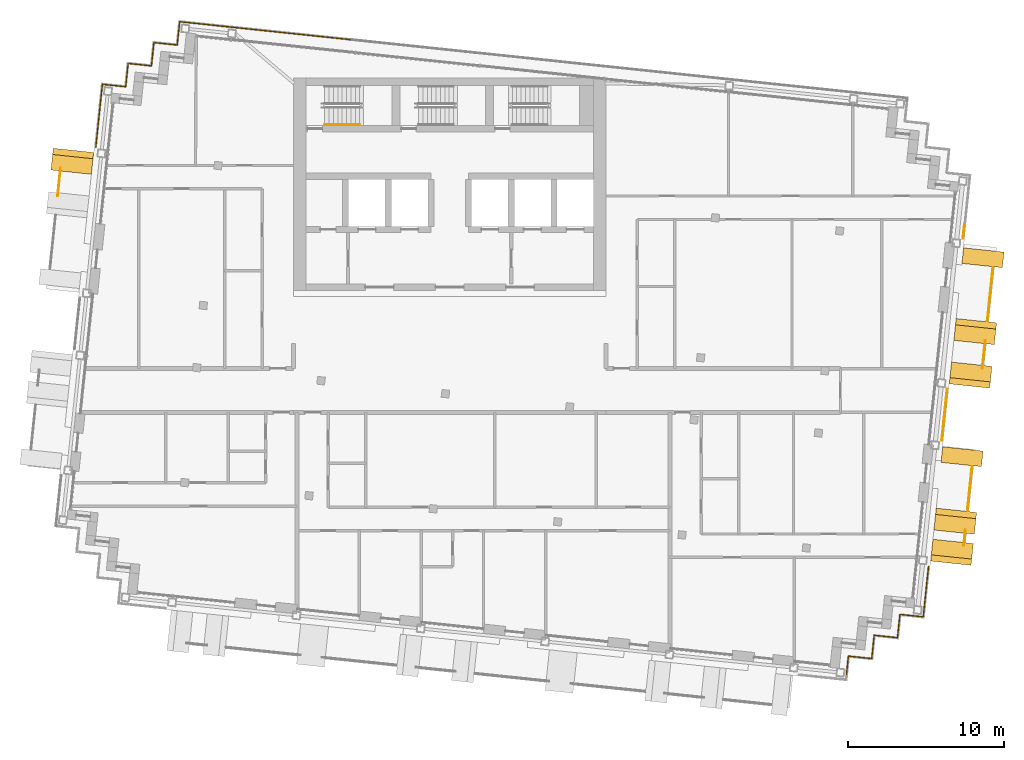
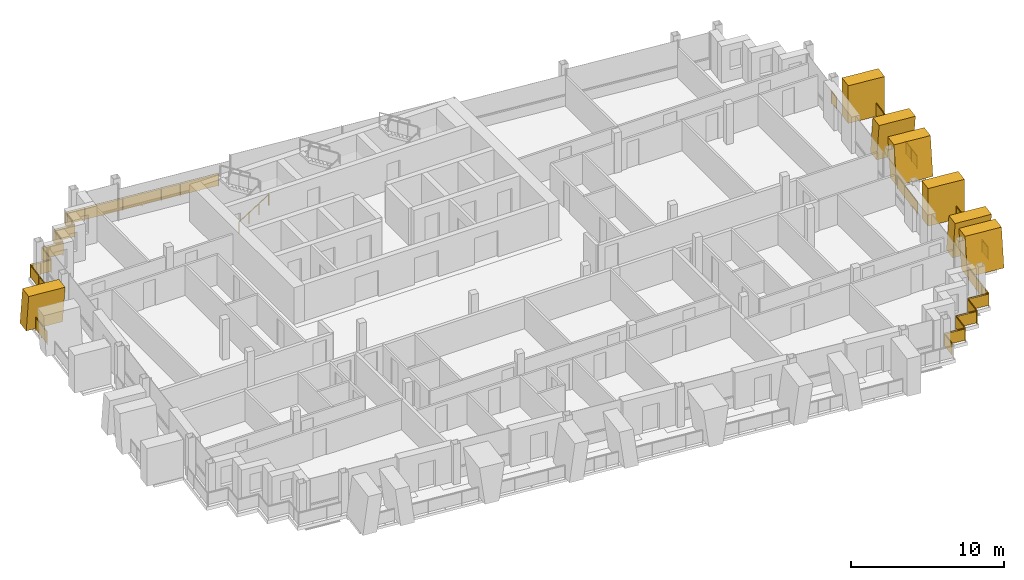
# One storey, part 14 of 16: 11 railings, 7 shading devices.
"""IFC4 building model written with IfcOpenShell, lengths in metres."""

import ifcopenshell
import ifcopenshell.guid

model = None  # the IFC model being written
_history = None  # IfcOwnerHistory: only IFC2X3 demands one
_inside = {}  # id of a spatial element -> (the spatial element, [elements in it])
_under = {}  # id of a project, library or spatial element -> (it, [spatial elements below it])
_declared = {}  # id of a project -> (the project, [libraries it declares])
_typed = {}  # id of a type object -> (the type object, [elements of that type])
_made_of = {}  # id of a material, layer set ... -> (it, [elements and type objects made of it])


def new_model(schema):
    """Start an empty IFC model of exactly this schema.

    Asked for "IFC4X3", IfcOpenShell would pick the latest addendum, in which some entities
    have other attributes; the version numbers below select the first issue.
    IFC2X3 requires an IfcOwnerHistory on every rooted entity: one is made here for all.
    """
    global model, _history
    if schema == "IFC4X3":
        model = ifcopenshell.file(schema_version=(4, 3, 0, 0))
    else:
        model = ifcopenshell.file(schema=schema)
    _inside.clear()
    _under.clear()
    _declared.clear()
    _typed.clear()
    _made_of.clear()
    _history = None
    if model.schema == "IFC2X3":
        org = make("IfcOrganization", Name="unknown")
        user = make(
            "IfcPersonAndOrganization",
            ThePerson=make("IfcPerson", FamilyName="unknown"),
            TheOrganization=org,
        )
        app = make(
            "IfcApplication",
            ApplicationDeveloper=org,
            Version="unknown",
            ApplicationFullName="unknown",
            ApplicationIdentifier="unknown",
        )
        _history = make(
            "IfcOwnerHistory",
            OwningUser=user,
            OwningApplication=app,
            ChangeAction="ADDED",
            CreationDate=0,
        )
    return model


def make(cls, **values):
    """One entity of the class cls with the attributes given. An attribute that is None is left unset."""
    return model.create_entity(
        cls, **{name: value for name, value in values.items() if value is not None}
    )


def rooted(cls, **values):
    """An entity with a GlobalId (a new one), such as an element, a storey or a relation."""
    return make(cls, GlobalId=ifcopenshell.guid.new(), OwnerHistory=_history, **values)


def si_unit(unit_type, name, prefix=None):
    """IfcSIUnit, for example si_unit("LENGTHUNIT", "METRE", prefix="MILLI")."""
    return make("IfcSIUnit", UnitType=unit_type, Prefix=prefix, Name=name)


def assignment(units):
    """IfcUnitAssignment: the units of a project."""
    return None if units is None else make("IfcUnitAssignment", Units=units)


def point(xyz):
    """IfcCartesianPoint."""
    return None if xyz is None else make("IfcCartesianPoint", Coordinates=xyz)


def direction(xyz):
    """IfcDirection."""
    return None if xyz is None else make("IfcDirection", DirectionRatios=xyz)


def frame(location, z_axis=None, x_axis=None):
    """IfcAxis2Placement3D, a coordinate frame: its origin and axes. An axis left out is left unset."""
    return make(
        "IfcAxis2Placement3D",
        Location=point(location),
        Axis=direction(z_axis),
        RefDirection=direction(x_axis),
    )


def frame_2d(location, x_axis=None):
    """IfcAxis2Placement2D, a coordinate frame in the plane: its origin and x axis."""
    return make(
        "IfcAxis2Placement2D", Location=point(location), RefDirection=direction(x_axis)
    )


def origin():
    """The frame at (0, 0, 0) with its axes left unset."""
    return frame((0.0, 0.0, 0.0))


def origin_2d():
    """The frame at (0, 0) in the plane with its x axis left unset."""
    return frame_2d((0.0, 0.0))


def place(relative_to, where):
    """IfcLocalPlacement: puts the frame where relative to a parent placement (None: the world)."""
    return make(
        "IfcLocalPlacement", PlacementRelTo=relative_to, RelativePlacement=where
    )


def context(
    kind, dimensions, precision=None, world=None, true_north=None, identifier=None
):
    """IfcGeometricRepresentationContext, for example the 3D "Model" context."""
    return make(
        "IfcGeometricRepresentationContext",
        ContextIdentifier=identifier,
        ContextType=kind,
        CoordinateSpaceDimension=dimensions,
        Precision=precision,
        WorldCoordinateSystem=world,
        TrueNorth=true_north,
    )


def subcontext(parent, identifier, kind, view, scale=None):
    """IfcGeometricRepresentationSubContext, for example "Body" below "Model"."""
    return make(
        "IfcGeometricRepresentationSubContext",
        ContextIdentifier=identifier,
        ContextType=kind,
        ParentContext=parent,
        TargetScale=scale,
        TargetView=view,
    )


def project(units=None, contexts=None):
    """IfcProject with its units and contexts."""
    return rooted(
        "IfcProject",
        Name="project",
        RepresentationContexts=contexts,
        UnitsInContext=assignment(units),
    )


def spatial(cls, under=None, at=None, **own):
    """A site, building, storey or space (cls), placed at a placement, below another one or the project."""
    s = rooted(cls, ObjectPlacement=at, **own)
    if under is not None:
        _under.setdefault(under.id(), (under, []))[1].append(s)
    return s


def polyline(points):
    """IfcPolyline through the points."""
    return make("IfcPolyline", Points=[point(p) for p in points])


def profile(cls, at=None, kind="AREA", **sizes):
    """A parametric profile (cls). Its sizes go by their IFC names, for example OverallWidth=200.0."""
    return make(cls, ProfileType=kind, Position=at, **sizes)


def rectangle(**sizes):
    """IfcRectangleProfileDef."""
    return profile("IfcRectangleProfileDef", **sizes)


def circle(**sizes):
    """IfcCircleProfileDef."""
    return profile("IfcCircleProfileDef", **sizes)


def outline(outer, holes=None, kind="AREA"):
    """IfcArbitraryClosedProfileDef: a profile drawn as a closed curve; with holes, ...WithVoids."""
    if holes is None:
        return make("IfcArbitraryClosedProfileDef", ProfileType=kind, OuterCurve=outer)
    return make(
        "IfcArbitraryProfileDefWithVoids",
        ProfileType=kind,
        OuterCurve=outer,
        InnerCurves=holes,
    )


def extrude(swept, where, along, depth):
    """IfcExtrudedAreaSolid: the profile swept, set in the frame where, extruded along a direction by depth."""
    return make(
        "IfcExtrudedAreaSolid",
        SweptArea=swept,
        Position=where,
        ExtrudedDirection=direction(along),
        Depth=depth,
    )


def shape(context_of_items, identifier, shape_type, items):
    """IfcShapeRepresentation: the items that make up one representation, for example the "Body"."""
    return make(
        "IfcShapeRepresentation",
        ContextOfItems=context_of_items,
        RepresentationIdentifier=identifier,
        RepresentationType=shape_type,
        Items=items,
    )


def material(Name=None, Category=None):
    """IfcMaterial."""
    return make("IfcMaterial", Name=Name, Category=Category)


def layer(
    of_material, thickness, ventilated=None, Name=None, Category=None, Priority=None
):
    """IfcMaterialLayer: one layer of a wall or slab, of a material (None: an air gap)."""
    return make(
        "IfcMaterialLayer",
        Material=of_material,
        LayerThickness=thickness,
        IsVentilated=ventilated,
        Name=Name,
        Category=Category,
        Priority=Priority,
    )


def layer_set(layers, Name=None):
    """IfcMaterialLayerSet."""
    return make("IfcMaterialLayerSet", MaterialLayers=layers, LayerSetName=Name)


def made_of(thing, what):
    """Note that an element or type object is made of a material, layer set ...; save() writes the relation."""
    if what is not None:
        _made_of.setdefault(what.id(), (what, []))[1].append(thing)
    return thing


def type_object(cls, material=None, **own):
    """A type object (cls), such as IfcWallType, which elements share."""
    return made_of(rooted(cls, **own), material)


def element(
    cls,
    number,
    at=None,
    inside=None,
    cuts=None,
    type_object=None,
    material=None,
    context=None,
    identifier="Body",
    shape_type=None,
    held_by="IfcProductDefinitionShape",
    body=None,
    shapes=None,
    **own,
):
    """One element of the class cls, such as IfcWall. Its Tag is "e" and its number.

    at: its placement. inside: the storey or other place that contains it. cuts: it is an
    opening in that element (IfcRelVoidsElement). A single representation is given by context,
    identifier, shape_type and body (its items); several are given by shapes. held_by: the class
    of the entity that holds the representations. save() writes the other relations.
    """
    e = rooted(cls, Tag="e%d" % number, ObjectPlacement=at, **own)
    if body is not None:
        shapes = [shape(context, identifier, shape_type, body)]
    if shapes is not None:
        e.Representation = make(held_by, Representations=shapes)
    if inside is not None:
        _inside.setdefault(inside.id(), (inside, []))[1].append(e)
    if cuts is not None:
        rooted(
            "IfcRelVoidsElement", RelatingBuildingElement=cuts, RelatedOpeningElement=e
        )
    if type_object is not None:
        _typed.setdefault(type_object.id(), (type_object, []))[1].append(e)
    return made_of(e, material)


def aggregate(whole, parts):
    """IfcRelAggregates: a whole, such as a stair, and the parts it consists of."""
    return rooted("IfcRelAggregates", RelatingObject=whole, RelatedObjects=parts)


def save(model, path):
    """Write the relations noted so far, then the file.

    IfcRelAggregates (storeys below a building ...), IfcRelContainedInSpatialStructure (elements
    in a storey), IfcRelDefinesByType, IfcRelAssociatesMaterial and IfcRelDeclares: one each for
    every whole, place, type object, material and project.
    """
    for whole, parts in _under.values():
        aggregate(whole, parts)
    for where, things in _inside.values():
        rooted(
            "IfcRelContainedInSpatialStructure",
            RelatedElements=things,
            RelatingStructure=where,
        )
    for kind, things in _typed.values():
        rooted("IfcRelDefinesByType", RelatedObjects=things, RelatingType=kind)
    for what, things in _made_of.values():
        rooted("IfcRelAssociatesMaterial", RelatedObjects=things, RelatingMaterial=what)
    for by, libraries in _declared.values():
        rooted("IfcRelDeclares", RelatingContext=by, RelatedDefinitions=libraries)
    model.write(path)


model = new_model("IFC4")

# Units and contexts
model_context = context("Model", 3, precision=1e-05, world=origin(), true_north=direction((0.0, 1.0)))
body_context = subcontext(model_context, "Body", "Model", "MODEL_VIEW")
ifc_project = project(units=[si_unit("LENGTHUNIT", "METRE"), si_unit("AREAUNIT", "SQUARE_METRE"), si_unit("VOLUMEUNIT", "CUBIC_METRE"), si_unit("PLANEANGLEUNIT", "RADIAN"), si_unit("MASSUNIT", "GRAM", prefix="KILO")], contexts=[model_context])

# Site, building, storey
site_placement = place(None, origin())
site = spatial("IfcSite", under=ifc_project, at=site_placement, CompositionType="ELEMENT")
building_placement = place(site_placement, origin())
building = spatial("IfcBuilding", under=site, at=building_placement, Name="Vidyagriha Tower", CompositionType="ELEMENT")
storey_placement = place(building_placement, frame((0.0, 0.0, 253.10009765625)))
storey = spatial("IfcBuildingStorey", under=building, at=storey_placement, Name="L65", CompositionType="ELEMENT", Elevation=253.10009765625)

# Railings
ifc_material_1 = material(Name="Steel ASTM A500 Grade C black painted", Category="steel")
railing_type_1 = type_object("IfcRailingType", Name="Balcony guard 1100", PredefinedType="BALUSTRADE", material=ifc_material_1)
railing_1_placement = place(storey_placement, frame((-24.90234375, 14.238525390625, 0.0)))
element("IfcRailing", 1, at=railing_1_placement, inside=storey, type_object=railing_type_1, Name="Balcony guard L65 R14.1-1", PredefinedType="BALUSTRADE", context=body_context, shape_type="SweptSolid", body=[
    extrude(circle(Radius=0.02490234375, at=origin_2d()), frame((0.0, 0.0, 1.0751953125), z_axis=(-0.104422563515, -0.99453302018, 0.0), x_axis=(0.99453302018, -0.104422563515, 0.0)), (0.0, 0.0, 1.0), 1.793212890625),
    extrude(circle(Radius=0.02001953125, at=origin_2d()), origin(), (0.0, 0.0, 1.0), 1.050048828125),
    extrude(circle(Radius=0.02001953125, at=origin_2d()), frame((-0.09375, -0.8916015625, 0.0)), (0.0, 0.0, 1.0), 1.050048828125),
    extrude(circle(Radius=0.02001953125, at=origin_2d()), frame((-0.187255859375, -1.783447265625, 0.0)), (0.0, 0.0, 1.0), 1.050048828125),
    extrude(rectangle(XDim=0.010009765625, YDim=0.900146484375, at=origin_2d()), frame((0.0, 0.0, 0.550048828125), z_axis=(-0.104422563515, -0.99453302018, 0.0), x_axis=(0.99453302018, -0.104422563515, 0.0)), (0.0, 0.0, 1.0), 1.793212890625),
])
railing_2_placement = place(storey_placement, frame((32.888427734375, -9.927978515625, 0.0)))
element("IfcRailing", 2, at=railing_2_placement, inside=storey, type_object=railing_type_1, Name="Balcony guard L65 R28.1-1", PredefinedType="BALUSTRADE", context=body_context, shape_type="SweptSolid", body=[
    extrude(circle(Radius=0.02490234375, at=origin_2d()), frame((0.0, 0.0, 1.0751953125), z_axis=(0.104467261141, 0.994528326067, 0.0), x_axis=(-0.994528326067, 0.104467261141, 0.0)), (0.0, 0.0, 1.0), 0.9931640625),
    extrude(circle(Radius=0.02001953125, at=origin_2d()), origin(), (0.0, 0.0, 1.0), 1.050048828125),
    extrude(circle(Radius=0.02001953125, at=origin_2d()), frame((0.103759765625, 0.98779296875, 0.0)), (0.0, 0.0, 1.0), 1.050048828125),
    extrude(rectangle(XDim=0.010009765625, YDim=0.900146484375, at=origin_2d()), frame((0.0, 0.0, 0.550048828125), z_axis=(0.104467261141, 0.994528326067, 0.0), x_axis=(-0.994528326067, 0.104467261141, 0.0)), (0.0, 0.0, 1.0), 0.9931640625),
])
railing_3_placement = place(storey_placement, frame((33.123046875, -7.693603515625, 0.0)))
element("IfcRailing", 3, at=railing_3_placement, inside=storey, type_object=railing_type_1, Name="Balcony guard L65 R28.1-2", PredefinedType="BALUSTRADE", context=body_context, shape_type="SweptSolid", body=[
    extrude(circle(Radius=0.02490234375, at=origin_2d()), frame((0.0, 0.0, 1.0751953125), z_axis=(0.104600055429, 0.994514368124, 0.0), x_axis=(-0.994514368124, 0.104600055429, 0.0)), (0.0, 0.0, 1.0), 2.849853515625),
    extrude(circle(Radius=0.02001953125, at=origin_2d()), origin(), (0.0, 0.0, 1.0), 1.050048828125),
    extrude(circle(Radius=0.02001953125, at=origin_2d()), frame((0.099365234375, 0.94482421875, 0.0)), (0.0, 0.0, 1.0), 1.050048828125),
    extrude(circle(Radius=0.02001953125, at=origin_2d()), frame((0.19873046875, 1.889404296875, 0.0)), (0.0, 0.0, 1.0), 1.050048828125),
    extrude(circle(Radius=0.02001953125, at=origin_2d()), frame((0.298095703125, 2.834228515625, 0.0)), (0.0, 0.0, 1.0), 1.050048828125),
    extrude(rectangle(XDim=0.010009765625, YDim=0.900146484375, at=origin_2d()), frame((0.0, 0.0, 0.550048828125), z_axis=(0.104600055429, 0.994514368124, 0.0), x_axis=(-0.994514368124, 0.104600055429, 0.0)), (0.0, 0.0, 1.0), 2.849853515625),
])
railing_4_placement = place(storey_placement, frame((34.079833984375, 1.409423828125, 0.0)))
element("IfcRailing", 4, at=railing_4_placement, inside=storey, type_object=railing_type_1, Name="Balcony guard L65 R28.2-1", PredefinedType="BALUSTRADE", context=body_context, shape_type="SweptSolid", body=[
    extrude(circle(Radius=0.02490234375, at=origin_2d()), frame((0.0, 0.0, 1.0751953125), z_axis=(0.104557220267, 0.994518872465, 0.0), x_axis=(-0.994518872465, 0.104557220267, 0.0)), (0.0, 0.0, 1.0), 1.793212890625),
    extrude(circle(Radius=0.02001953125, at=origin_2d()), origin(), (0.0, 0.0, 1.0), 1.050048828125),
    extrude(circle(Radius=0.02001953125, at=origin_2d()), frame((0.09375, 0.8916015625, 0.0)), (0.0, 0.0, 1.0), 1.050048828125),
    extrude(circle(Radius=0.02001953125, at=origin_2d()), frame((0.1875, 1.783447265625, 0.0)), (0.0, 0.0, 1.0), 1.050048828125),
    extrude(rectangle(XDim=0.010009765625, YDim=0.900146484375, at=origin_2d()), frame((0.0, 0.0, 0.550048828125), z_axis=(0.104557220267, 0.994518872465, 0.0), x_axis=(-0.994518872465, 0.104557220267, 0.0)), (0.0, 0.0, 1.0), 1.793212890625),
])
railing_5_placement = place(storey_placement, frame((34.3984375, 4.439453125, 0.0)))
element("IfcRailing", 5, at=railing_5_placement, inside=storey, type_object=railing_type_1, Name="Balcony guard L65 R28.2-2", PredefinedType="BALUSTRADE", context=body_context, shape_type="SweptSolid", body=[
    extrude(circle(Radius=0.02490234375, at=origin_2d()), frame((0.0, 0.0, 1.0751953125), z_axis=(0.104519019879, 0.994522887863, 0.0), x_axis=(-0.994522887863, 0.104519019879, 0.0)), (0.0, 0.0, 1.0), 3.449951171875),
    extrude(circle(Radius=0.02001953125, at=origin_2d()), origin(), (0.0, 0.0, 1.0), 1.050048828125),
    extrude(circle(Radius=0.02001953125, at=origin_2d()), frame((0.1201171875, 1.143798828125, 0.0)), (0.0, 0.0, 1.0), 1.050048828125),
    extrude(circle(Radius=0.02001953125, at=origin_2d()), frame((0.240478515625, 2.287353515625, 0.0)), (0.0, 0.0, 1.0), 1.050048828125),
    extrude(circle(Radius=0.02001953125, at=origin_2d()), frame((0.360595703125, 3.43115234375, 0.0)), (0.0, 0.0, 1.0), 1.050048828125),
    extrude(rectangle(XDim=0.010009765625, YDim=0.900146484375, at=origin_2d()), frame((0.0, 0.0, 0.550048828125), z_axis=(0.104519019879, 0.994522887863, 0.0), x_axis=(-0.994522887863, 0.104519019879, 0.0)), (0.0, 0.0, 1.0), 3.449951171875),
])

# Shading devices
ifc_material_2 = material(Name="Precast concrete C40/50 with buff brick facing", Category="concrete")
ifc_layer_1 = layer(ifc_material_2, 1.0)
ifc_layer_set_1 = layer_set([ifc_layer_1], Name="Precast concrete C40/50 with buff brick facing")
shading_device_type_1 = type_object("IfcShadingDeviceType", Name="Brick-faced blade fin arm leaning 8 degrees", PredefinedType="USERDEFINED", material=ifc_layer_set_1)
for number, where, z_axis, x_axis, name in (
    (6, (-24.080322265625, 15.362060546875, 0.0), (0.0, 0.0, 1.0), (-0.104457839748, -0.994529315664, 0.0), "Leaning blade fin L65 R14.330a"),
    (7, (32.06640625, -11.0517578125, 0.0), (0.0, 0.0, 1.0), (0.104439726433, 0.994531217983, 0.0), "Leaning blade fin L65 R28.250a"),
):
    element("IfcShadingDevice", number, at=place(storey_placement, frame(where, z_axis=z_axis, x_axis=x_axis)), inside=storey, type_object=shading_device_type_1, Name=name, ObjectType="BLADE FIN", PredefinedType="USERDEFINED", context=body_context, shape_type="SweptSolid", body=[
        extrude(outline(polyline([(0.0, 0.0), (1.0, 0.0), (1.39990234375, 3.0), (0.39990234375, 3.0), (0.0, 0.0)])), frame((0.0, 1.300048828125, 0.0), z_axis=(0.0, -1.0, 0.0), x_axis=(1.0, 0.0, 0.0)), (0.0, 0.0, 1.0), 2.60009765625),
    ])
shading_device_1_placement = place(storey_placement, frame((32.275390625, -9.0625, 0.0), z_axis=(0.0, 0.0, 1.0), x_axis=(0.104648468085, 0.994509275033, 0.0)))
element("IfcShadingDevice", 8, at=shading_device_1_placement, inside=storey, type_object=shading_device_type_1, Name="Leaning blade fin L65 R28.250b", ObjectType="BLADE FIN", PredefinedType="USERDEFINED", context=body_context, shape_type="SweptSolid", body=[
    extrude(outline(polyline([(0.39990234375, 0.0), (1.39990234375, 0.0), (1.0, 3.0), (0.0, 3.0), (0.39990234375, 0.0)])), frame((0.0, 1.300048828125, 0.0), z_axis=(0.0, -1.0, 0.0), x_axis=(1.0, 0.0, 0.0)), (0.0, 0.0, 1.0), 2.60009765625),
])
shading_device_2_placement = place(storey_placement, frame((33.258056640625, 0.285888671875, 0.0), z_axis=(0.0, 0.0, 1.0), x_axis=(0.104457839748, 0.994529315664, 0.0)))
element("IfcShadingDevice", 9, at=shading_device_2_placement, inside=storey, type_object=shading_device_type_1, Name="Leaning blade fin L65 R28.1390a", ObjectType="BLADE FIN", PredefinedType="USERDEFINED", context=body_context, shape_type="SweptSolid", body=[
    extrude(outline(polyline([(0.0, 0.0), (1.0, 0.0), (1.39990234375, 3.0), (0.39990234375, 3.0), (0.0, 0.0)])), frame((0.0, 1.300048828125, 0.0), z_axis=(0.0, -1.0, 0.0), x_axis=(1.0, 0.0, 0.0)), (0.0, 0.0, 1.0), 2.60009765625),
])
shading_device_3_placement = place(storey_placement, frame((33.55078125, 3.070556640625, 0.0), z_axis=(0.0, 0.0, 1.0), x_axis=(0.104457839748, 0.994529315664, 0.0)))
element("IfcShadingDevice", 10, at=shading_device_3_placement, inside=storey, type_object=shading_device_type_1, Name="Leaning blade fin L65 R28.1390b", ObjectType="BLADE FIN", PredefinedType="USERDEFINED", context=body_context, shape_type="SweptSolid", body=[
    extrude(outline(polyline([(0.39990234375, 0.0), (1.39990234375, 0.0), (1.0, 3.0), (0.0, 3.0), (0.39990234375, 0.0)])), frame((0.0, 1.300048828125, 0.0), z_axis=(0.0, -1.0, 0.0), x_axis=(1.0, 0.0, 0.0)), (0.0, 0.0, 1.0), 2.60009765625),
])
ifc_material_3 = material(Name="Precast concrete C40/50 with buff brick facing", Category="concrete")
ifc_layer_2 = layer(ifc_material_3, 1.0)
ifc_layer_set_2 = layer_set([ifc_layer_2], Name="Precast concrete C40/50 with buff brick facing")
shading_device_type_2 = type_object("IfcShadingDeviceType", Name="Brick-faced blade fin stem 1000", PredefinedType="USERDEFINED", material=ifc_layer_set_2)
for number, where, z_axis, x_axis, name in (
    (11, (32.72998046875, -4.736328125, 0.0), (0.0, 0.0, 1.0), (0.104748335039, 0.99449876134, 0.0), "Stem blade fin L65 R28.990a"),
    (12, (34.068115234375, 7.993408203125, 0.0), (0.0, 0.0, 1.0), (0.104481464157, 0.994526834051, 0.0), "Stem blade fin L65 R28.2290a"),
):
    element("IfcShadingDevice", number, at=place(storey_placement, frame(where, z_axis=z_axis, x_axis=x_axis)), inside=storey, type_object=shading_device_type_2, Name=name, ObjectType="BLADE FIN", PredefinedType="USERDEFINED", context=body_context, shape_type="SweptSolid", body=[
        extrude(outline(polyline([(0.0, 0.0), (1.0, 0.0), (1.0, 3.0), (0.0, 3.0), (0.0, 0.0)])), frame((0.0, 1.300048828125, 0.0), z_axis=(0.0, -1.0, 0.0), x_axis=(1.0, 0.0, 0.0)), (0.0, 0.0, 1.0), 2.60009765625),
    ])

# Railings
ifc_material_4 = material(Name="Steel ASTM A500 Grade C black painted", Category="steel")
railing_type_2 = type_object("IfcRailingType", Name="Gallery guard 1100", PredefinedType="GUARDRAIL", material=ifc_material_4)
railing_6_placement = place(storey_placement, frame((-22.650390625, 15.57373046875, 0.0)))
element("IfcRailing", 13, at=railing_6_placement, inside=storey, type_object=railing_type_2, Name="Gallery guard L65 4", PredefinedType="GUARDRAIL", context=body_context, shape_type="SweptSolid", body=[
    extrude(circle(Radius=0.02490234375, at=origin_2d()), frame((0.0, 0.0, 1.0751953125), z_axis=(0.104546370699, 0.994520013058, 0.0), x_axis=(-0.994520013058, 0.104546370699, 0.0)), (0.0, 0.0, 1.0), 4.0400390625),
    extrude(circle(Radius=0.02490234375, at=origin_2d()), frame((0.42236328125, 4.017822265625, 1.0751953125), z_axis=(0.994526834051, -0.104481464157, 0.0), x_axis=(0.104481464157, 0.994526834051, 0.0)), (0.0, 0.0, 1.0), 1.500244140625),
    extrude(circle(Radius=0.02490234375, at=origin_2d()), frame((1.914306640625, 3.861083984375, 1.0751953125), z_axis=(0.104498377516, 0.994525057048, 0.0), x_axis=(-0.994525057048, 0.104498377516, 0.0)), (0.0, 0.0, 1.0), 1.5),
    extrude(circle(Radius=0.02490234375, at=origin_2d()), frame((2.071044921875, 5.352783203125, 1.0751953125), z_axis=(0.994525057048, -0.104498377516, 0.0), x_axis=(0.104498377516, 0.994525057048, 0.0)), (0.0, 0.0, 1.0), 1.5),
    extrude(circle(Radius=0.02490234375, at=origin_2d()), frame((3.562744140625, 5.196044921875, 1.0751953125), z_axis=(0.104498377516, 0.994525057048, 0.0), x_axis=(-0.994525057048, 0.104498377516, 0.0)), (0.0, 0.0, 1.0), 1.5),
    extrude(circle(Radius=0.02490234375, at=origin_2d()), frame((3.719482421875, 6.687744140625, 1.0751953125), z_axis=(0.994525057048, -0.104498377516, 0.0), x_axis=(0.104498377516, 0.994525057048, 0.0)), (0.0, 0.0, 1.0), 1.5),
    extrude(circle(Radius=0.02490234375, at=origin_2d()), frame((5.211181640625, 6.531005859375, 1.0751953125), z_axis=(0.10449150849, 0.994525778778, 0.0), x_axis=(-0.994525778778, 0.10449150849, 0.0)), (0.0, 0.0, 1.0), 0.460205078125),
    extrude(circle(Radius=0.02001953125, at=origin_2d()), origin(), (0.0, 0.0, 1.0), 1.050048828125),
    extrude(circle(Radius=0.02001953125, at=origin_2d()), frame((0.140869140625, 1.33935546875, 0.0)), (0.0, 0.0, 1.0), 1.050048828125),
    extrude(circle(Radius=0.02001953125, at=origin_2d()), frame((0.281494140625, 2.678466796875, 0.0)), (0.0, 0.0, 1.0), 1.050048828125),
    extrude(circle(Radius=0.02001953125, at=origin_2d()), frame((0.42236328125, 4.017822265625, 0.0)), (0.0, 0.0, 1.0), 1.050048828125),
    extrude(circle(Radius=0.02001953125, at=origin_2d()), frame((1.16845703125, 3.939453125, 0.0)), (0.0, 0.0, 1.0), 1.050048828125),
    extrude(circle(Radius=0.02001953125, at=origin_2d()), frame((1.914306640625, 3.861083984375, 0.0)), (0.0, 0.0, 1.0), 1.050048828125),
    extrude(circle(Radius=0.02001953125, at=origin_2d()), frame((2.071044921875, 5.352783203125, 0.0)), (0.0, 0.0, 1.0), 1.050048828125),
    extrude(circle(Radius=0.02001953125, at=origin_2d()), frame((3.562744140625, 5.196044921875, 0.0)), (0.0, 0.0, 1.0), 1.050048828125),
    extrude(circle(Radius=0.02001953125, at=origin_2d()), frame((3.719482421875, 6.687744140625, 0.0)), (0.0, 0.0, 1.0), 1.050048828125),
    extrude(circle(Radius=0.02001953125, at=origin_2d()), frame((5.211181640625, 6.531005859375, 0.0)), (0.0, 0.0, 1.0), 1.050048828125),
    extrude(circle(Radius=0.02001953125, at=origin_2d()), frame((5.25927734375, 6.98876953125, 0.0)), (0.0, 0.0, 1.0), 1.050048828125),
    extrude(rectangle(XDim=0.010009765625, YDim=0.900146484375, at=origin_2d()), frame((0.0, 0.0, 0.550048828125), z_axis=(0.104546370699, 0.994520013058, 0.0), x_axis=(-0.994520013058, 0.104546370699, 0.0)), (0.0, 0.0, 1.0), 4.0400390625),
    extrude(rectangle(XDim=0.010009765625, YDim=0.900146484375, at=origin_2d()), frame((0.42236328125, 4.017822265625, 0.550048828125), z_axis=(0.994526834051, -0.104481464157, 0.0), x_axis=(0.104481464157, 0.994526834051, 0.0)), (0.0, 0.0, 1.0), 1.500244140625),
    extrude(rectangle(XDim=0.010009765625, YDim=0.900146484375, at=origin_2d()), frame((1.914306640625, 3.861083984375, 0.550048828125), z_axis=(0.104498377516, 0.994525057048, 0.0), x_axis=(-0.994525057048, 0.104498377516, 0.0)), (0.0, 0.0, 1.0), 1.5),
    extrude(rectangle(XDim=0.010009765625, YDim=0.900146484375, at=origin_2d()), frame((2.071044921875, 5.352783203125, 0.550048828125), z_axis=(0.994525057048, -0.104498377516, 0.0), x_axis=(0.104498377516, 0.994525057048, 0.0)), (0.0, 0.0, 1.0), 1.5),
    extrude(rectangle(XDim=0.010009765625, YDim=0.900146484375, at=origin_2d()), frame((3.562744140625, 5.196044921875, 0.550048828125), z_axis=(0.104498377516, 0.994525057048, 0.0), x_axis=(-0.994525057048, 0.104498377516, 0.0)), (0.0, 0.0, 1.0), 1.5),
    extrude(rectangle(XDim=0.010009765625, YDim=0.900146484375, at=origin_2d()), frame((3.719482421875, 6.687744140625, 0.550048828125), z_axis=(0.994525057048, -0.104498377516, 0.0), x_axis=(0.104498377516, 0.994525057048, 0.0)), (0.0, 0.0, 1.0), 1.5),
    extrude(rectangle(XDim=0.010009765625, YDim=0.900146484375, at=origin_2d()), frame((5.211181640625, 6.531005859375, 0.550048828125), z_axis=(0.10449150849, 0.994525778778, 0.0), x_axis=(-0.994525778778, 0.10449150849, 0.0)), (0.0, 0.0, 1.0), 0.460205078125),
])
railing_7_placement = place(storey_placement, frame((-17.39111328125, 22.5625, 0.0)))
element("IfcRailing", 14, at=railing_7_placement, inside=storey, type_object=railing_type_2, Name="Gallery guard L65 5", PredefinedType="GUARDRAIL", context=body_context, shape_type="SweptSolid", body=[
    extrude(circle(Radius=0.02490234375, at=origin_2d()), frame((0.0, 0.0, 1.0751953125), z_axis=(0.104733680268, 0.994500304785, 0.0), x_axis=(-0.994500304785, 0.104733680268, 0.0)), (0.0, 0.0, 1.0), 1.03955078125),
    extrude(circle(Radius=0.02490234375, at=origin_2d()), frame((0.10888671875, 1.033935546875, 1.0751953125), z_axis=(0.994520943118, -0.104537522925, 0.0), x_axis=(0.104537522925, 0.994520943118, 0.0)), (0.0, 0.0, 1.0), 10.960205078125),
    extrude(circle(Radius=0.02001953125, at=origin_2d()), origin(), (0.0, 0.0, 1.0), 1.050048828125),
    extrude(circle(Radius=0.02001953125, at=origin_2d()), frame((0.10888671875, 1.033935546875, 0.0)), (0.0, 0.0, 1.0), 1.050048828125),
    extrude(circle(Radius=0.02001953125, at=origin_2d()), frame((1.471435546875, 0.890625, 0.0)), (0.0, 0.0, 1.0), 1.050048828125),
    extrude(circle(Radius=0.02001953125, at=origin_2d()), frame((2.833984375, 0.74755859375, 0.0)), (0.0, 0.0, 1.0), 1.050048828125),
    extrude(circle(Radius=0.02001953125, at=origin_2d()), frame((4.196533203125, 0.604248046875, 0.0)), (0.0, 0.0, 1.0), 1.050048828125),
    extrude(circle(Radius=0.02001953125, at=origin_2d()), frame((5.55908203125, 0.4609375, 0.0)), (0.0, 0.0, 1.0), 1.050048828125),
    extrude(circle(Radius=0.02001953125, at=origin_2d()), frame((6.92138671875, 0.31787109375, 0.0)), (0.0, 0.0, 1.0), 1.050048828125),
    extrude(circle(Radius=0.02001953125, at=origin_2d()), frame((8.283935546875, 0.174560546875, 0.0)), (0.0, 0.0, 1.0), 1.050048828125),
    extrude(circle(Radius=0.02001953125, at=origin_2d()), frame((9.646484375, 0.031494140625, 0.0)), (0.0, 0.0, 1.0), 1.050048828125),
    extrude(circle(Radius=0.02001953125, at=origin_2d()), frame((11.009033203125, -0.11181640625, 0.0)), (0.0, 0.0, 1.0), 1.050048828125),
    extrude(rectangle(XDim=0.010009765625, YDim=0.900146484375, at=origin_2d()), frame((0.0, 0.0, 0.550048828125), z_axis=(0.104733680268, 0.994500304785, 0.0), x_axis=(-0.994500304785, 0.104733680268, 0.0)), (0.0, 0.0, 1.0), 1.03955078125),
    extrude(rectangle(XDim=0.010009765625, YDim=0.900146484375, at=origin_2d()), frame((0.10888671875, 1.033935546875, 0.550048828125), z_axis=(0.994520943118, -0.104537522925, 0.0), x_axis=(0.104537522925, 0.994520943118, 0.0)), (0.0, 0.0, 1.0), 10.960205078125),
])
railing_8_placement = place(storey_placement, frame((32.93603515625, 10.615966796875, 0.0)))
element("IfcRailing", 15, at=railing_8_placement, inside=storey, type_object=railing_type_2, Name="Gallery guard L65 10", PredefinedType="GUARDRAIL", context=body_context, shape_type="SweptSolid", body=[
    extrude(circle(Radius=0.02490234375, at=origin_2d()), frame((0.0, 0.0, 1.0751953125), z_axis=(-0.104612561624, -0.99451305268, 0.0), x_axis=(0.99451305268, -0.104612561624, 0.0)), (0.0, 0.0, 1.0), 0.8798828125),
    extrude(circle(Radius=0.02001953125, at=origin_2d()), origin(), (0.0, 0.0, 1.0), 1.050048828125),
    extrude(circle(Radius=0.02001953125, at=origin_2d()), frame((-0.092041015625, -0.875, 0.0)), (0.0, 0.0, 1.0), 1.050048828125),
    extrude(rectangle(XDim=0.010009765625, YDim=0.900146484375, at=origin_2d()), frame((0.0, 0.0, 0.550048828125), z_axis=(-0.104612561624, -0.99451305268, 0.0), x_axis=(0.99451305268, -0.104612561624, 0.0)), (0.0, 0.0, 1.0), 0.8798828125),
])
railing_9_placement = place(storey_placement, frame((30.636474609375, -11.263427734375, 0.0)))
element("IfcRailing", 16, at=railing_9_placement, inside=storey, type_object=railing_type_2, Name="Gallery guard L65 11", PredefinedType="GUARDRAIL", context=body_context, shape_type="SweptSolid", body=[
    extrude(circle(Radius=0.02490234375, at=origin_2d()), frame((0.0, 0.0, 1.0751953125), z_axis=(-0.104590643799, -0.994515357966, 0.0), x_axis=(0.994515357966, -0.104590643799, 0.0)), (0.0, 0.0, 1.0), 3.239990234375),
    extrude(circle(Radius=0.02490234375, at=origin_2d()), frame((-0.3388671875, -3.22216796875, 1.0751953125), z_axis=(-0.994525057048, 0.104498377516, 0.0), x_axis=(-0.104498377516, -0.994525057048, 0.0)), (0.0, 0.0, 1.0), 1.5),
    extrude(circle(Radius=0.02490234375, at=origin_2d()), frame((-1.83056640625, -3.0654296875, 1.0751953125), z_axis=(-0.104498377516, -0.994525057048, 0.0), x_axis=(0.994525057048, -0.104498377516, 0.0)), (0.0, 0.0, 1.0), 1.5),
    extrude(circle(Radius=0.02490234375, at=origin_2d()), frame((-1.9873046875, -4.55712890625, 1.0751953125), z_axis=(-0.994525057048, 0.104498377516, 0.0), x_axis=(-0.104498377516, -0.994525057048, 0.0)), (0.0, 0.0, 1.0), 1.5),
    extrude(circle(Radius=0.02490234375, at=origin_2d()), frame((-3.47900390625, -4.400390625, 1.0751953125), z_axis=(-0.104659366031, -0.994508128223, 0.0), x_axis=(0.994508128223, -0.104659366031, 0.0)), (0.0, 0.0, 1.0), 1.5),
    extrude(circle(Radius=0.02490234375, at=origin_2d()), frame((-3.635986328125, -5.89208984375, 1.0751953125), z_axis=(-0.994525057048, 0.104498377516, 0.0), x_axis=(-0.104498377516, -0.994525057048, 0.0)), (0.0, 0.0, 1.0), 1.5),
    extrude(circle(Radius=0.02490234375, at=origin_2d()), frame((-5.127685546875, -5.7353515625, 1.0751953125), z_axis=(-0.104432637393, -0.994531962406, 0.0), x_axis=(0.994531962406, -0.104432637393, 0.0)), (0.0, 0.0, 1.0), 1.260009765625),
    extrude(circle(Radius=0.02001953125, at=origin_2d()), origin(), (0.0, 0.0, 1.0), 1.050048828125),
    extrude(circle(Radius=0.02001953125, at=origin_2d()), frame((-0.113037109375, -1.073974609375, 0.0)), (0.0, 0.0, 1.0), 1.050048828125),
    extrude(circle(Radius=0.02001953125, at=origin_2d()), frame((-0.225830078125, -2.148193359375, 0.0)), (0.0, 0.0, 1.0), 1.050048828125),
    extrude(circle(Radius=0.02001953125, at=origin_2d()), frame((-0.3388671875, -3.22216796875, 0.0)), (0.0, 0.0, 1.0), 1.050048828125),
    extrude(circle(Radius=0.02001953125, at=origin_2d()), frame((-1.83056640625, -3.0654296875, 0.0)), (0.0, 0.0, 1.0), 1.050048828125),
    extrude(circle(Radius=0.02001953125, at=origin_2d()), frame((-1.9873046875, -4.55712890625, 0.0)), (0.0, 0.0, 1.0), 1.050048828125),
    extrude(circle(Radius=0.02001953125, at=origin_2d()), frame((-3.47900390625, -4.400390625, 0.0)), (0.0, 0.0, 1.0), 1.050048828125),
    extrude(circle(Radius=0.02001953125, at=origin_2d()), frame((-3.635986328125, -5.89208984375, 0.0)), (0.0, 0.0, 1.0), 1.050048828125),
    extrude(circle(Radius=0.02001953125, at=origin_2d()), frame((-5.127685546875, -5.7353515625, 0.0)), (0.0, 0.0, 1.0), 1.050048828125),
    extrude(circle(Radius=0.02001953125, at=origin_2d()), frame((-5.25927734375, -6.988525390625, 0.0)), (0.0, 0.0, 1.0), 1.050048828125),
    extrude(rectangle(XDim=0.010009765625, YDim=0.900146484375, at=origin_2d()), frame((0.0, 0.0, 0.550048828125), z_axis=(-0.104590643799, -0.994515357966, 0.0), x_axis=(0.994515357966, -0.104590643799, 0.0)), (0.0, 0.0, 1.0), 3.239990234375),
    extrude(rectangle(XDim=0.010009765625, YDim=0.900146484375, at=origin_2d()), frame((-0.3388671875, -3.22216796875, 0.550048828125), z_axis=(-0.994525057048, 0.104498377516, 0.0), x_axis=(-0.104498377516, -0.994525057048, 0.0)), (0.0, 0.0, 1.0), 1.5),
    extrude(rectangle(XDim=0.010009765625, YDim=0.900146484375, at=origin_2d()), frame((-1.83056640625, -3.0654296875, 0.550048828125), z_axis=(-0.104498377516, -0.994525057048, 0.0), x_axis=(0.994525057048, -0.104498377516, 0.0)), (0.0, 0.0, 1.0), 1.5),
    extrude(rectangle(XDim=0.010009765625, YDim=0.900146484375, at=origin_2d()), frame((-1.9873046875, -4.55712890625, 0.550048828125), z_axis=(-0.994525057048, 0.104498377516, 0.0), x_axis=(-0.104498377516, -0.994525057048, 0.0)), (0.0, 0.0, 1.0), 1.5),
    extrude(rectangle(XDim=0.010009765625, YDim=0.900146484375, at=origin_2d()), frame((-3.47900390625, -4.400390625, 0.550048828125), z_axis=(-0.104659366031, -0.994508128223, 0.0), x_axis=(0.994508128223, -0.104659366031, 0.0)), (0.0, 0.0, 1.0), 1.5),
    extrude(rectangle(XDim=0.010009765625, YDim=0.900146484375, at=origin_2d()), frame((-3.635986328125, -5.89208984375, 0.550048828125), z_axis=(-0.994525057048, 0.104498377516, 0.0), x_axis=(-0.104498377516, -0.994525057048, 0.0)), (0.0, 0.0, 1.0), 1.5),
    extrude(rectangle(XDim=0.010009765625, YDim=0.900146484375, at=origin_2d()), frame((-5.127685546875, -5.7353515625, 0.550048828125), z_axis=(-0.104432637393, -0.994531962406, 0.0), x_axis=(0.994531962406, -0.104432637393, 0.0)), (0.0, 0.0, 1.0), 1.260009765625),
])
railing_10_placement = place(storey_placement, frame((31.827880859375, 0.07421875, 0.0)))
element("IfcRailing", 17, at=railing_10_placement, inside=storey, type_object=railing_type_2, Name="Gallery guard L65 13", PredefinedType="GUARDRAIL", context=body_context, shape_type="SweptSolid", body=[
    extrude(circle(Radius=0.02490234375, at=origin_2d()), frame((0.0, 0.0, 1.0751953125), z_axis=(-0.104506547029, -0.994524198614, 0.0), x_axis=(0.994524198614, -0.104506547029, 0.0)), (0.0, 0.0, 1.0), 3.280029296875),
    extrude(circle(Radius=0.02001953125, at=origin_2d()), origin(), (0.0, 0.0, 1.0), 1.050048828125),
    extrude(circle(Radius=0.02001953125, at=origin_2d()), frame((-0.1142578125, -1.08740234375, 0.0)), (0.0, 0.0, 1.0), 1.050048828125),
    extrude(circle(Radius=0.02001953125, at=origin_2d()), frame((-0.228515625, -2.174560546875, 0.0)), (0.0, 0.0, 1.0), 1.050048828125),
    extrude(circle(Radius=0.02001953125, at=origin_2d()), frame((-0.3427734375, -3.261962890625, 0.0)), (0.0, 0.0, 1.0), 1.050048828125),
    extrude(rectangle(XDim=0.010009765625, YDim=0.900146484375, at=origin_2d()), frame((0.0, 0.0, 0.550048828125), z_axis=(-0.104506547029, -0.994524198614, 0.0), x_axis=(0.994524198614, -0.104506547029, 0.0)), (0.0, 0.0, 1.0), 3.280029296875),
])
ifc_material_5 = material(Name="Steel ASTM A500 Grade C", Category="steel")
railing_type_3 = type_object("IfcRailingType", Name="Stair handrail 900 mm, steel", PredefinedType="HANDRAIL", material=ifc_material_5)
railing_11_placement = place(storey_placement, frame((-8.0, 17.0, 0.177734375)))
element("IfcRailing", 18, at=railing_11_placement, inside=storey, type_object=railing_type_3, Name="L65 ST1 stair handrail 1", PredefinedType="HANDRAIL", context=body_context, shape_type="SweptSolid", body=[
    extrude(circle(Radius=0.02392578125, at=origin_2d()), frame((0.0, 0.0, 0.8759765625), z_axis=(0.8442293374, 0.0, 0.53598211339), x_axis=(0.0, 1.0, 0.0)), (0.0, 0.0, 1.0), 2.6533203125),
    extrude(circle(Radius=0.02099609375, at=origin_2d()), origin(), (0.0, 0.0, 1.0), 0.851806640625),
    extrude(circle(Radius=0.02099609375, at=origin_2d()), frame((0.74658203125, 0.0, 0.47412109375)), (0.0, 0.0, 1.0), 0.851806640625),
    extrude(circle(Radius=0.02099609375, at=origin_2d()), frame((1.493408203125, 0.0, 0.947998046875)), (0.0, 0.0, 1.0), 0.851806640625),
    extrude(circle(Radius=0.02099609375, at=origin_2d()), frame((2.239990234375, 0.0, 1.422119140625)), (0.0, 0.0, 1.0), 0.851806640625),
])

save(model, "model.ifc")
